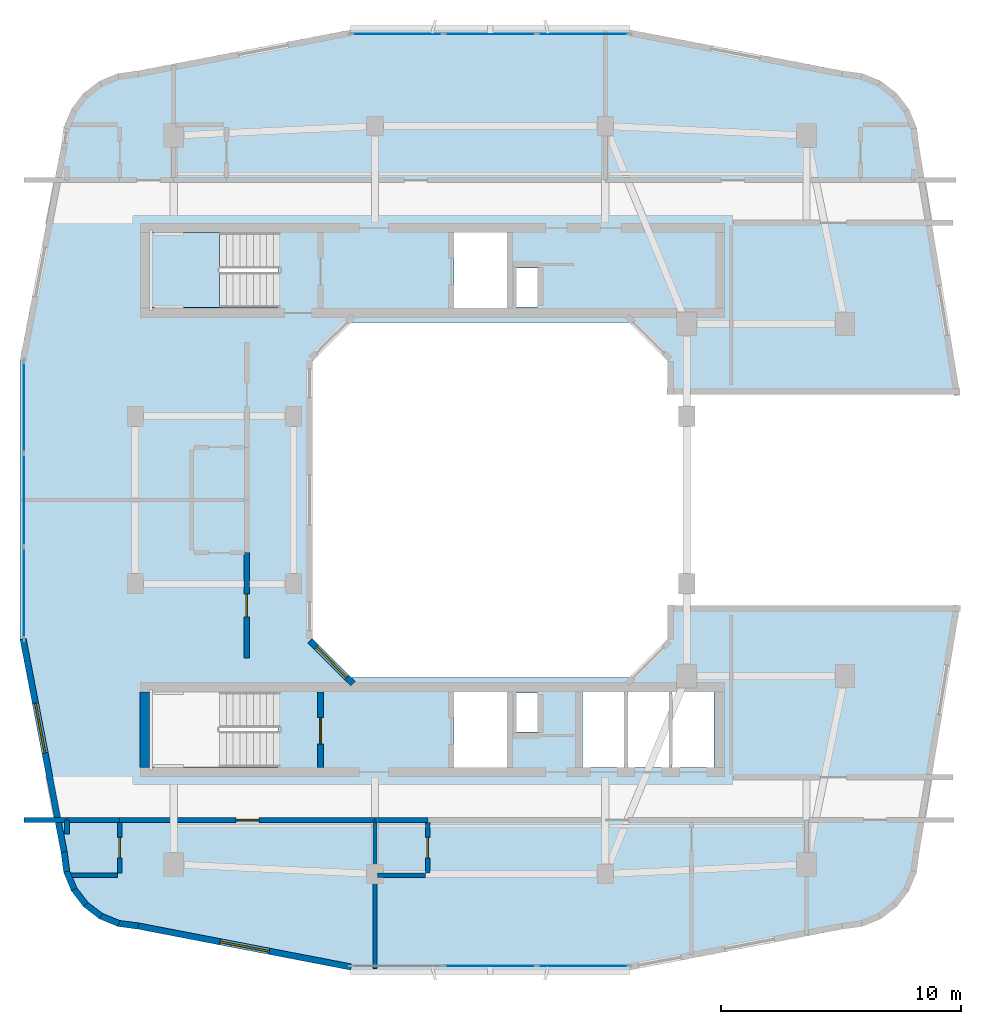
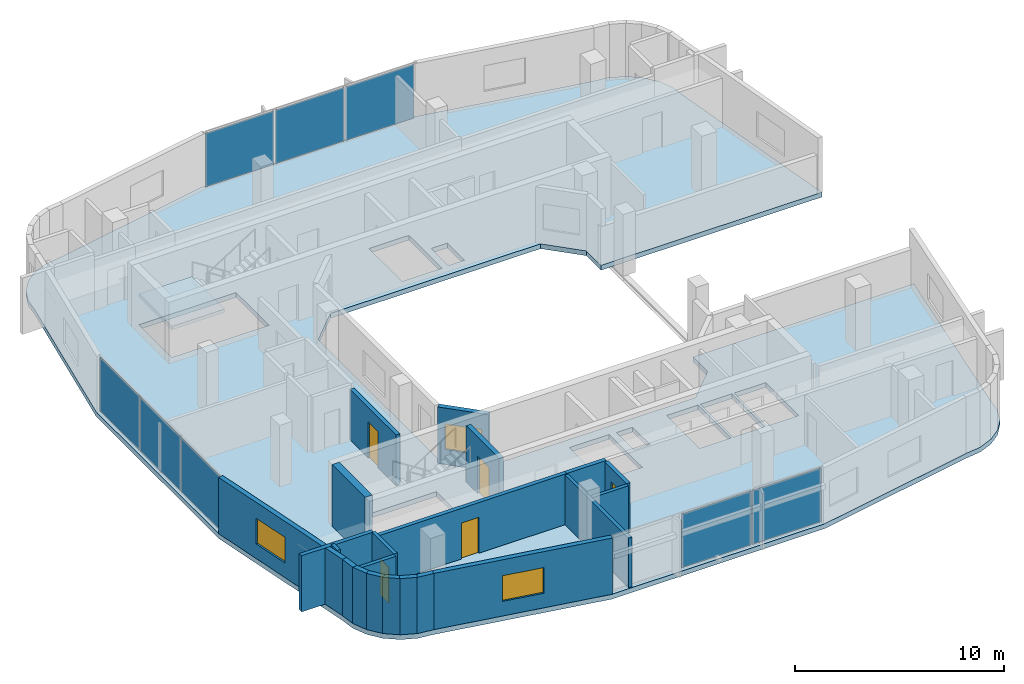
# One storey, part 4 of 12: 22 walls, 8 plates, 5 doors, 3 windows, 2 slabs, 8 openings, 4 elements without a shape of their own.
"""IFC4 building model written with IfcOpenShell, lengths in metres."""

from ifc_helpers import new_model, si_unit, derived_unit, direction, frame, frame_2d, origin, origin_2d, place, context, subcontext, project, spatial, polyline, rectangle, outline, extrude, material, layer, layer_set, type_object, element, fill, aggregate, save


model = new_model("IFC4")

# Units and contexts
model_context = context("Model", 3, precision=1e-05, world=origin(), true_north=direction((0.0, 1.0)))
body_context = subcontext(model_context, "Body", "Model", "MODEL_VIEW")
ifc_project = project(units=[si_unit("LENGTHUNIT", "METRE"), si_unit("AREAUNIT", "SQUARE_METRE"), si_unit("VOLUMEUNIT", "CUBIC_METRE"), si_unit("PLANEANGLEUNIT", "RADIAN"), si_unit("MASSUNIT", "GRAM", prefix="KILO"), derived_unit("THERMALTRANSMITTANCEUNIT", [(si_unit("POWERUNIT", "WATT"), 1), (si_unit("LENGTHUNIT", "METRE"), -2), (si_unit("THERMODYNAMICTEMPERATUREUNIT", "KELVIN"), -1)])], contexts=[model_context])

# Site, building, storey
site_placement = place(None, origin())
site = spatial("IfcSite", under=ifc_project, at=site_placement, CompositionType="ELEMENT")
building_placement = place(site_placement, origin())
building = spatial("IfcBuilding", under=site, at=building_placement, Name="Kivonza Crest Hotel", CompositionType="ELEMENT")
storey_placement = place(building_placement, frame((0.0, 0.0, 195.5)))
storey = spatial("IfcBuildingStorey", under=building, at=storey_placement, Name="L53", CompositionType="ELEMENT", Elevation=195.5)

# Curtain wall, plates
ifc_material_1 = material(Name="Anodised bronze aluminium and low-E double glazing", Category="aluminium")
ifc_layer_1 = layer(ifc_material_1, 0.179931640625)
ifc_layer_set_1 = layer_set([ifc_layer_1], Name="Anodised bronze aluminium and low-E double glazing")
curtain_wall_type = type_object("IfcCurtainWallType", Name="CW-SYS-3", PredefinedType="NOTDEFINED", material=ifc_layer_set_1)
curtain_wall_1_placement = place(storey_placement, origin())
curtain_wall_1 = element("IfcCurtainWall", 1, at=curtain_wall_1_placement, inside=storey, type_object=curtain_wall_type, Name="L53 unitised curtain wall CW-T1-L53-08", PredefinedType="NOTDEFINED")
ifc_material_2 = material(Name="Acoustic triple-laminated low-E glazing", Category="glass")
ifc_layer_2 = layer(ifc_material_2, 0.035888671875)
ifc_layer_set_2 = layer_set([ifc_layer_2], Name="Acoustic triple-laminated low-E glazing")
plate_type = type_object("IfcPlateType", Name="CW-PNL-36", PredefinedType="CURTAIN_PANEL", material=ifc_layer_set_2)
plate_1_placement = place(storey_placement, frame((21.0, 5.56005859375, 0.074951171875), z_axis=(0.0, 0.0, 1.0), x_axis=(1.0, 0.0, 0.0)))
plate_1 = element("IfcPlate", 2, at=plate_1_placement, type_object=plate_type, Name="CW-3 panel 2.1", PredefinedType="CURTAIN_PANEL", context=body_context, shape_type="SweptSolid", body=[
    extrude(rectangle(XDim=3.818359375, YDim=0.035888671875, at=origin_2d()), origin(), (0.0, 0.0, 1.0), 3.1298828125),
])
plate_2_placement = place(storey_placement, frame((24.87451171875, 5.56005859375, 0.074951171875), z_axis=(0.0, 0.0, 1.0), x_axis=(1.0, 0.0, 0.0)))
plate_2 = element("IfcPlate", 3, at=plate_2_placement, type_object=plate_type, Name="CW-3 panel 3.1", PredefinedType="CURTAIN_PANEL", context=body_context, shape_type="SweptSolid", body=[
    extrude(rectangle(XDim=3.78076171875, YDim=0.035888671875, at=origin_2d()), origin(), (0.0, 0.0, 1.0), 3.1298828125),
])
aggregate(curtain_wall_1, [plate_1, plate_2])

curtain_wall_2_placement = place(storey_placement, origin())
curtain_wall_2 = element("IfcCurtainWall", 4, at=curtain_wall_2_placement, inside=storey, type_object=curtain_wall_type, Name="L53 unitised curtain wall CW-T1-L53-36", PredefinedType="NOTDEFINED")
plate_3_placement = place(storey_placement, frame((24.87451171875, 44.43994140625, 0.074951171875), z_axis=(0.0, 0.0, 1.0), x_axis=(-1.0, 0.0, 0.0)))
plate_3 = element("IfcPlate", 5, at=plate_3_placement, type_object=plate_type, Name="CW-3 panel 1.1", PredefinedType="CURTAIN_PANEL", context=body_context, shape_type="SweptSolid", body=[
    extrude(rectangle(XDim=3.78076171875, YDim=0.035888671875, at=origin_2d()), origin(), (0.0, 0.0, 1.0), 3.1298828125),
])
plate_4_placement = place(storey_placement, frame((21.0, 44.43994140625, 0.074951171875), z_axis=(0.0, 0.0, 1.0), x_axis=(-1.0, 0.0, 0.0)))
plate_4 = element("IfcPlate", 6, at=plate_4_placement, type_object=plate_type, Name="CW-3 panel 2.1", PredefinedType="CURTAIN_PANEL", context=body_context, shape_type="SweptSolid", body=[
    extrude(rectangle(XDim=3.818359375, YDim=0.035888671875, at=origin_2d()), origin(), (0.0, 0.0, 1.0), 3.1298828125),
])
plate_5_placement = place(storey_placement, frame((17.12548828125, 44.43994140625, 0.074951171875), z_axis=(0.0, 0.0, 1.0), x_axis=(-1.0, 0.0, 0.0)))
plate_5 = element("IfcPlate", 7, at=plate_5_placement, type_object=plate_type, Name="CW-3 panel 3.1", PredefinedType="CURTAIN_PANEL", context=body_context, shape_type="SweptSolid", body=[
    extrude(rectangle(XDim=3.78076171875, YDim=0.035888671875, at=origin_2d()), origin(), (0.0, 0.0, 1.0), 3.1298828125),
])
aggregate(curtain_wall_2, [plate_3, plate_4, plate_5])

curtain_wall_3_placement = place(storey_placement, origin())
curtain_wall_3 = element("IfcCurtainWall", 8, at=curtain_wall_3_placement, inside=storey, type_object=curtain_wall_type, Name="L53 unitised curtain wall CW-T1-L53-45", PredefinedType="NOTDEFINED")
plate_6_placement = place(storey_placement, frame((1.56005859375, 28.87451171875, 0.074951171875), z_axis=(0.0, 0.0, 1.0), x_axis=(0.0, -1.0, 0.0)))
plate_6 = element("IfcPlate", 9, at=plate_6_placement, type_object=plate_type, Name="CW-3 panel 1.1", PredefinedType="CURTAIN_PANEL", context=body_context, shape_type="SweptSolid", body=[
    extrude(rectangle(XDim=3.78076171875, YDim=0.035888671875, at=origin_2d()), origin(), (0.0, 0.0, 1.0), 3.1298828125),
])
plate_7_placement = place(storey_placement, frame((1.56005859375, 25.0, 0.074951171875), z_axis=(0.0, 0.0, 1.0), x_axis=(0.0, -1.0, 0.0)))
plate_7 = element("IfcPlate", 10, at=plate_7_placement, type_object=plate_type, Name="CW-3 panel 2.1", PredefinedType="CURTAIN_PANEL", context=body_context, shape_type="SweptSolid", body=[
    extrude(rectangle(XDim=3.818359375, YDim=0.035888671875, at=origin_2d()), origin(), (0.0, 0.0, 1.0), 3.1298828125),
])
plate_8_placement = place(storey_placement, frame((1.56005859375, 21.12548828125, 0.074951171875), z_axis=(0.0, 0.0, 1.0), x_axis=(0.0, -1.0, 0.0)))
plate_8 = element("IfcPlate", 11, at=plate_8_placement, type_object=plate_type, Name="CW-3 panel 3.1", PredefinedType="CURTAIN_PANEL", context=body_context, shape_type="SweptSolid", body=[
    extrude(rectangle(XDim=3.78076171875, YDim=0.035888671875, at=origin_2d()), origin(), (0.0, 0.0, 1.0), 3.1298828125),
])
aggregate(curtain_wall_3, [plate_6, plate_7, plate_8])

# Slab
ifc_material_3 = material(Name="Concrete C40/50", Category="concrete")
ifc_layer_3 = layer(ifc_material_3, 0.280029296875)
ifc_layer_set_3 = layer_set([ifc_layer_3], Name="Concrete C40/50")
slab_type_1 = type_object("IfcSlabType", Name="SL-HTL-280", PredefinedType="FLOOR", material=ifc_layer_set_3)
slab_1_placement = place(storey_placement, frame((0.0, 0.0, -0.280029296875)))
element("IfcSlab", 12, at=slab_1_placement, inside=storey, type_object=slab_type_1, Name="Tower T1 L53 floor slab", PredefinedType="FLOOR", context=body_context, shape_type="SweptSolid", body=[
    extrude(outline(polyline([(3.10009765625, 10.300048828125), (3.208984375, 9.471923828125), (3.529052734375, 8.699951171875), (4.037109375, 8.037109375), (4.699951171875, 7.529052734375), (5.471923828125, 7.208984375), (6.300048828125, 7.10009765625), (15.1201171875, 5.39990234375), (26.8798828125, 5.39990234375), (35.699951171875, 7.10009765625), (36.528076171875, 7.208984375), (37.300048828125, 7.529052734375), (37.962890625, 8.037109375), (38.470947265625, 8.699951171875), (38.791015625, 9.471923828125), (38.89990234375, 10.300048828125), (40.60009765625, 20.60009765625), (28.39990234375, 20.60009765625), (28.39990234375, 19.199951171875), (26.800048828125, 17.60009765625), (15.199951171875, 17.60009765625), (13.60009765625, 19.199951171875), (13.60009765625, 30.800048828125), (15.199951171875, 32.39990234375), (26.800048828125, 32.39990234375), (28.39990234375, 30.800048828125), (28.39990234375, 29.39990234375), (40.60009765625, 29.39990234375), (38.89990234375, 39.699951171875), (38.791015625, 40.528076171875), (38.470947265625, 41.300048828125), (37.962890625, 41.962890625), (37.300048828125, 42.470947265625), (36.528076171875, 42.791015625), (35.699951171875, 42.89990234375), (26.8798828125, 44.60009765625), (15.1201171875, 44.60009765625), (6.300048828125, 42.89990234375), (5.471923828125, 42.791015625), (4.699951171875, 42.470947265625), (4.037109375, 41.962890625), (3.529052734375, 41.300048828125), (3.208984375, 40.528076171875), (3.10009765625, 39.699951171875), (1.39990234375, 30.8798828125), (1.39990234375, 19.1201171875), (3.10009765625, 10.300048828125)]), holes=[polyline([(6.800048828125, 33.02001953125), (12.159912109375, 33.02001953125), (12.159912109375, 36.159912109375), (6.800048828125, 36.159912109375), (6.800048828125, 33.02001953125)]), polyline([(6.800048828125, 13.860107421875), (12.159912109375, 13.860107421875), (12.159912109375, 17.0), (6.800048828125, 17.0), (6.800048828125, 13.860107421875)]), polyline([(22.080078125, 33.0400390625), (22.969970703125, 33.0400390625), (22.969970703125, 34.679931640625), (22.080078125, 34.679931640625), (22.080078125, 33.0400390625)]), polyline([(22.080078125, 15.320068359375), (22.969970703125, 15.320068359375), (22.969970703125, 16.9599609375), (22.080078125, 16.9599609375), (22.080078125, 15.320068359375)]), polyline([(19.5, 33.0), (21.699951171875, 33.0), (21.699951171875, 36.159912109375), (19.5, 36.159912109375), (19.5, 33.0)]), polyline([(19.5, 13.840087890625), (21.699951171875, 13.840087890625), (21.699951171875, 17.0), (19.5, 17.0), (19.5, 13.840087890625)]), polyline([(24.860107421875, 13.840087890625), (26.60693359375, 13.840087890625), (26.60693359375, 17.0), (24.860107421875, 17.0), (24.860107421875, 13.840087890625)]), polyline([(26.72705078125, 13.840087890625), (28.472900390625, 13.840087890625), (28.472900390625, 17.0), (26.72705078125, 17.0), (26.72705078125, 13.840087890625)]), polyline([(28.593017578125, 13.840087890625), (30.340087890625, 13.840087890625), (30.340087890625, 17.0), (28.593017578125, 17.0), (28.593017578125, 13.840087890625)])]), origin(), (0.0, 0.0, 1.0), 0.280029296875),
])

# Stair, slab
stair_type = type_object("IfcStairType", Name="ST-DL-20R", PredefinedType="HALF_TURN_STAIR", material=ifc_material_3)
stair_placement = place(storey_placement, origin())
stair = element("IfcStair", 13, at=stair_placement, inside=storey, type_object=stair_type, Name="L53 Protected Exit Stair ST-T1-N", PredefinedType="HALF_TURN_STAIR")
ifc_layer_4 = layer(ifc_material_3, 0.199951171875)
ifc_layer_set_4 = layer_set([ifc_layer_4], Name="Concrete C40/50")
slab_type_2 = type_object("IfcSlabType", Name="SL-LAND-200", PredefinedType="LANDING", material=ifc_layer_set_4)
slab_2_placement = place(storey_placement, frame((0.0, 0.0, 1.60009765625)))
slab_2 = element("IfcSlab", 14, at=slab_2_placement, type_object=slab_type_2, Name="ST-T1-N landing 1", PredefinedType="LANDING", context=body_context, shape_type="SweptSolid", body=[
    extrude(outline(polyline([(9.719970703125, 36.159912109375), (6.800048828125, 36.159912109375), (6.800048828125, 33.02001953125), (9.719970703125, 33.02001953125), (9.719970703125, 36.159912109375)])), origin(), (0.0, 0.0, 1.0), 0.199951171875),
])
aggregate(stair, [slab_2])

# Walls
ifc_material_4 = material(Name="High-density acoustic masonry inter-tenancy wall", Category="masonry")
ifc_layer_5 = layer(ifc_material_4, 0.179931640625)
ifc_layer_set_5 = layer_set([ifc_layer_5], Name="High-density acoustic masonry inter-tenancy wall")
wall_type_1 = type_object("IfcWallType", Name="WL-ACOU-180", PredefinedType="SOLIDWALL", material=ifc_layer_set_5)
wall_1_placement = place(storey_placement, frame((16.199951171875, 5.4599609375, 0.0), z_axis=(0.0, 0.0, 1.0), x_axis=(0.0, 1.0, 0.0)))
element("IfcWall", 15, at=wall_1_placement, inside=storey, type_object=wall_type_1, Name="L53 interior partition WA-L53-T1S-DIV1", PredefinedType="SOLIDWALL", context=body_context, shape_type="SweptSolid", body=[
    extrude(rectangle(XDim=6.18994140625, YDim=0.179931640625, at=frame_2d((3.094970703125, 0.0))), origin(), (0.0, 0.0, 1.0), 2.89501953125),
])
ifc_material_5 = material(Name="Autoclaved aerated concrete blockwork", Category="masonry")
ifc_layer_6 = layer(ifc_material_5, 0.219970703125)
ifc_layer_set_6 = layer_set([ifc_layer_6], Name="Autoclaved aerated concrete blockwork")
wall_type_2 = type_object("IfcWallType", Name="WL-ACOU-220", PredefinedType="SOLIDWALL", material=ifc_layer_set_6)
wall_2_placement = place(storey_placement, frame((1.56005859375, 11.64990234375, 0.0), z_axis=(0.0, 0.0, 1.0), x_axis=(1.0, 0.0, 0.0)))
element("IfcWall", 16, at=wall_2_placement, inside=storey, type_object=wall_type_2, Name="L53 interior partition WA-L53-S04-XCORR", PredefinedType="SOLIDWALL", context=body_context, shape_type="SweptSolid", body=[
    extrude(rectangle(XDim=1.7900390625, YDim=0.219970703125, at=frame_2d((0.89501953125, 0.0))), origin(), (0.0, 0.0, 1.0), 3.280029296875),
])
wall_3_placement = place(storey_placement, frame((3.35009765625, 11.64990234375, 0.0), z_axis=(0.0, 0.0, 1.0), x_axis=(1.0, 0.0, 0.0)))
element("IfcWall", 17, at=wall_3_placement, inside=storey, type_object=wall_type_2, Name="L53 interior partition WA-L53-S04-BCORR", PredefinedType="SOLIDWALL", context=body_context, shape_type="SweptSolid", body=[
    extrude(rectangle(XDim=2.199951171875, YDim=0.219970703125, at=frame_2d((1.10009765625, 0.0))), origin(), (0.0, 0.0, 1.0), 3.280029296875),
])

# Wall, opening, door
wall_4_placement = place(storey_placement, frame((5.550048828125, 11.64990234375, 0.0), z_axis=(0.0, 0.0, 1.0), x_axis=(1.0, 0.0, 0.0)))
wall_4 = element("IfcWall", 18, at=wall_4_placement, inside=storey, type_object=wall_type_2, Name="L53 interior partition WA-L53-S04-MCORR", PredefinedType="SOLIDWALL", context=body_context, shape_type="SweptSolid", body=[
    extrude(rectangle(XDim=10.64990234375, YDim=0.219970703125, at=frame_2d((5.324951171875, 0.0))), origin(), (0.0, 0.0, 1.0), 2.955078125),
])
opening_1_placement = place(wall_4_placement, frame((4.85009765625, 0.0, 0.0)))
opening_1 = element("IfcOpeningElement", 19, at=opening_1_placement, cuts=wall_4, Name="Opening DU-60", PredefinedType="OPENING", context=body_context, shape_type="SweptSolid", body=[
    extrude(rectangle(XDim=0.949951171875, YDim=2.10009765625, at=frame_2d((0.47509765625, 1.050048828125))), frame((0.0, 0.1201171875, 0.0), z_axis=(0.0, -1.0, 0.0), x_axis=(1.0, 0.0, 0.0)), (0.0, 0.0, 1.0), 0.239990234375),
])
ifc_material_6 = material(Name="Hardwood timber oak", Category="wood")
door_type_1 = type_object("IfcDoorType", Name="DR-UNIT-950", OperationType="NOTDEFINED", PredefinedType="DOOR", material=ifc_material_6)
door_1_placement = place(opening_1_placement, frame((0.949951171875, 0.0, 0.0), z_axis=(0.0, 0.0, 1.0), x_axis=(-1.0, 0.0, 0.0)))
door_1 = element("IfcDoor", 20, at=door_1_placement, inside=storey, type_object=door_type_1, Name="L53 S04 guest unit entrance fire door", OperationType="SINGLE_SWING_RIGHT", OverallHeight=2.10009765625, OverallWidth=0.949951171875, PredefinedType="DOOR", context=body_context, shape_type="SweptSolid", body=[
    extrude(rectangle(XDim=0.949951171875, YDim=2.10009765625, at=frame_2d((0.47509765625, 1.050048828125))), frame((0.0, 0.02490234375, 0.0), z_axis=(0.0, -1.0, 0.0), x_axis=(1.0, 0.0, 0.0)), (0.0, 0.0, 1.0), 0.050048828125),
])
fill(opening_1, door_1)

# Wall
wall_5_placement = place(storey_placement, frame((16.199951171875, 11.64990234375, 0.0), z_axis=(0.0, 0.0, 1.0), x_axis=(1.0, 0.0, 0.0)))
element("IfcWall", 21, at=wall_5_placement, inside=storey, type_object=wall_type_2, Name="L53 interior partition WA-L53-S05-BCORR", PredefinedType="SOLIDWALL", context=body_context, shape_type="SweptSolid", body=[
    extrude(rectangle(XDim=2.199951171875, YDim=0.219970703125, at=frame_2d((1.10009765625, 0.0))), origin(), (0.0, 0.0, 1.0), 2.955078125),
])

# Wall, opening, door
wall_6_placement = place(storey_placement, frame((10.85009765625, 18.39990234375, 0.0), z_axis=(0.0, 0.0, 1.0), x_axis=(0.0, 1.0, 0.0)))
wall_6 = element("IfcWall", 22, at=wall_6_placement, inside=storey, type_object=wall_type_2, Name="L53 interior partition WA-L53-W06-MCORR", PredefinedType="SOLIDWALL", context=body_context, shape_type="SweptSolid", body=[
    extrude(rectangle(XDim=4.400146484375, YDim=0.219970703125, at=frame_2d((2.2001953125, 0.0))), origin(), (0.0, 0.0, 1.0), 2.955078125),
])
opening_2_placement = place(wall_6_placement, frame((1.72509765625, 0.0, 0.0)))
opening_2 = element("IfcOpeningElement", 23, at=opening_2_placement, cuts=wall_6, Name="Opening DU-60", PredefinedType="OPENING", context=body_context, shape_type="SweptSolid", body=[
    extrude(rectangle(XDim=0.949951171875, YDim=2.10009765625, at=frame_2d((0.47509765625, 1.050048828125))), frame((0.0, 0.1201171875, 0.0), z_axis=(0.0, -1.0, 0.0), x_axis=(1.0, 0.0, 0.0)), (0.0, 0.0, 1.0), 0.239990234375),
])
door_2_placement = place(opening_2_placement, origin())
door_2 = element("IfcDoor", 24, at=door_2_placement, inside=storey, type_object=door_type_1, Name="L53 W06 guest unit entrance fire door", OperationType="SINGLE_SWING_RIGHT", OverallHeight=2.10009765625, OverallWidth=0.949951171875, PredefinedType="DOOR", context=body_context, shape_type="SweptSolid", body=[
    extrude(rectangle(XDim=0.949951171875, YDim=2.10009765625, at=frame_2d((0.47509765625, 1.050048828125))), frame((0.0, 0.02490234375, 0.0), z_axis=(0.0, -1.0, 0.0), x_axis=(1.0, 0.0, 0.0)), (0.0, 0.0, 1.0), 0.050048828125),
])
fill(opening_2, door_2)

# Walls
ifc_material_7 = material(Name="Concrete C50/60", Category="concrete")
ifc_layer_7 = layer(ifc_material_7, 0.39990234375)
ifc_layer_set_7 = layer_set([ifc_layer_7], Name="Concrete C50/60")
wall_type_3 = type_object("IfcWallType", Name="WL-CORE-400", PredefinedType="SHEAR", material=ifc_layer_set_7)
wall_7_placement = place(storey_placement, frame((6.60009765625, 13.840087890625, 0.0), z_axis=(0.0, 0.0, 1.0), x_axis=(0.0, 1.0, 0.0)))
element("IfcWall", 25, at=wall_7_placement, inside=storey, type_object=wall_type_3, Name="Core wall T1-S West L53", PredefinedType="SHEAR", context=body_context, shape_type="SweptSolid", body=[
    extrude(rectangle(XDim=3.159912109375, YDim=0.39990234375, at=frame_2d((1.580078125, 0.0))), origin(), (0.0, 0.0, 1.0), 3.60009765625),
])
ifc_material_8 = material(Name="Precast concrete C40/50", Category="concrete")
ifc_layer_8 = layer(ifc_material_8, 0.260009765625)
ifc_layer_set_8 = layer_set([ifc_layer_8], Name="Precast concrete C40/50")
wall_type_4 = type_object("IfcWallType", Name="WL-EXT-260", PredefinedType="STANDARD", material=ifc_layer_set_8)
wall_8_placement = place(storey_placement, frame((3.22802734375, 10.324951171875, 0.0), z_axis=(0.0, 0.0, 1.0), x_axis=(0.130704676564, -0.99142134712, 0.0)))
element("IfcWall", 26, at=wall_8_placement, inside=storey, type_object=wall_type_4, Name="L53 T1 exterior insulated wall 1", PredefinedType="STANDARD", context=body_context, shape_type="SweptSolid", body=[
    extrude(rectangle(XDim=0.8330078125, YDim=0.260009765625, at=frame_2d((0.41650390625, 0.0))), origin(), (0.0, 0.0, 1.0), 3.280029296875),
])
wall_9_placement = place(storey_placement, frame((3.319091796875, 9.544921875, 0.0), z_axis=(0.0, 0.0, 1.0), x_axis=(0.383086687796, -0.923712395518, 0.0)))
element("IfcWall", 27, at=wall_9_placement, inside=storey, type_object=wall_type_4, Name="L53 T1 exterior insulated wall 2", PredefinedType="STANDARD", context=body_context, shape_type="SweptSolid", body=[
    extrude(rectangle(XDim=0.850830078125, YDim=0.260009765625, at=frame_2d((0.42529296875, 0.0))), origin(), (0.0, 0.0, 1.0), 3.280029296875),
])
for number, where, z_axis, x_axis, name in (
    (28, (3.616943359375, 8.799072265625, 0.0), (0.0, 0.0, 1.0), (0.608099977432, -0.793860452124, 0.0), "L53 T1 exterior insulated wall 3"),
    (29, (4.095947265625, 8.155029296875, 0.0), (0.0, 0.0, 1.0), (0.793860452124, -0.608099977432, 0.0), "L53 T1 exterior insulated wall 4"),
):
    element("IfcWall", number, at=place(storey_placement, frame(where, z_axis=z_axis, x_axis=x_axis)), inside=storey, type_object=wall_type_4, Name=name, PredefinedType="STANDARD", context=body_context, shape_type="SweptSolid", body=[
        extrude(rectangle(XDim=0.850341796875, YDim=0.260009765625, at=frame_2d((0.42529296875, 0.0))), origin(), (0.0, 0.0, 1.0), 3.280029296875),
    ])
wall_10_placement = place(storey_placement, frame((4.72705078125, 7.658935546875, 0.0), z_axis=(0.0, 0.0, 1.0), x_axis=(0.923712395518, -0.383086687796, 0.0)))
element("IfcWall", 30, at=wall_10_placement, inside=storey, type_object=wall_type_4, Name="L53 T1 exterior insulated wall 5", PredefinedType="STANDARD", context=body_context, shape_type="SweptSolid", body=[
    extrude(rectangle(XDim=0.850830078125, YDim=0.260009765625, at=frame_2d((0.42529296875, 0.0))), origin(), (0.0, 0.0, 1.0), 3.280029296875),
])
wall_11_placement = place(storey_placement, frame((5.464111328125, 7.341064453125, 0.0), z_axis=(0.0, 0.0, 1.0), x_axis=(0.991488716273, -0.130192647656, 0.0)))
element("IfcWall", 31, at=wall_11_placement, inside=storey, type_object=wall_type_4, Name="L53 T1 exterior insulated wall 6", PredefinedType="STANDARD", context=body_context, shape_type="SweptSolid", body=[
    extrude(rectangle(XDim=0.8681640625, YDim=0.260009765625, at=frame_2d((0.43408203125, 0.0))), origin(), (0.0, 0.0, 1.0), 3.280029296875),
])

# Wall, opening, window
wall_12_placement = place(storey_placement, frame((6.31689453125, 7.22998046875, 0.0), z_axis=(0.0, 0.0, 1.0), x_axis=(0.98192801022, -0.189254809039, 0.0)))
wall_12 = element("IfcWall", 32, at=wall_12_placement, inside=storey, type_object=wall_type_4, Name="L53 T1 exterior insulated wall 7", PredefinedType="STANDARD", context=body_context, shape_type="SweptSolid", body=[
    extrude(rectangle(XDim=9.045654296875, YDim=0.260009765625, at=frame_2d((4.52294921875, 0.0))), origin(), (0.0, 0.0, 1.0), 3.280029296875),
])
opening_3_placement = place(wall_12_placement, frame((3.472900390625, 0.0, 0.85009765625)))
opening_3 = element("IfcOpeningElement", 33, at=opening_3_placement, cuts=wall_12, Name="Opening WN-04", PredefinedType="OPENING", context=body_context, shape_type="SweptSolid", body=[
    extrude(rectangle(XDim=2.10009765625, YDim=1.5, at=frame_2d((1.050048828125, 0.75))), frame((0.0, 0.14013671875, 0.0), z_axis=(0.0, -1.0, 0.0), x_axis=(1.0, 0.0, 0.0)), (0.0, 0.0, 1.0), 0.280029296875),
])
ifc_material_9 = material(Name="Thermally broken bronze aluminium and low-E double glazing", Category="aluminium")
window_type_1 = type_object("IfcWindowType", Name="WN-210x150", PartitioningType="DOUBLE_PANEL_VERTICAL", PredefinedType="WINDOW", material=ifc_material_9)
window_1_placement = place(opening_3_placement, origin())
window_1 = element("IfcWindow", 34, at=window_1_placement, inside=storey, type_object=window_type_1, Name="L53 T1 facade window 7", OverallHeight=1.5, OverallWidth=2.10009765625, PartitioningType="SINGLE_PANEL", PredefinedType="WINDOW", context=body_context, shape_type="SweptSolid", body=[
    extrude(rectangle(XDim=2.10009765625, YDim=1.5, at=frame_2d((1.050048828125, 0.75))), frame((0.0, 0.030029296875, 0.0), z_axis=(0.0, -1.0, 0.0), x_axis=(1.0, 0.0, 0.0)), (0.0, 0.0, 1.0), 0.06005859375),
])
fill(opening_3, window_1)

wall_13_placement = place(storey_placement, frame((15.278076171875, 17.337890625, 0.0), z_axis=(0.0, 0.0, 1.0), x_axis=(-0.707106781187, 0.707106781187, 0.0)))
wall_13 = element("IfcWall", 35, at=wall_13_placement, inside=storey, type_object=wall_type_4, Name="L53 T1 exterior insulated wall 21", PredefinedType="STANDARD", context=body_context, shape_type="SweptSolid", body=[
    extrude(rectangle(XDim=2.52880859375, YDim=0.260009765625, at=frame_2d((1.264404296875, 0.0))), origin(), (0.0, 0.0, 1.0), 3.280029296875),
])
opening_4_placement = place(wall_13_placement, frame((0.364013671875, 0.0, 0.85009765625)))
opening_4 = element("IfcOpeningElement", 36, at=opening_4_placement, cuts=wall_13, Name="Opening WN-03", PredefinedType="OPENING", context=body_context, shape_type="SweptSolid", body=[
    extrude(rectangle(XDim=1.800048828125, YDim=1.5, at=frame_2d((0.89990234375, 0.75))), frame((0.0, 0.14013671875, 0.0), z_axis=(0.0, -1.0, 0.0), x_axis=(1.0, 0.0, 0.0)), (0.0, 0.0, 1.0), 0.280029296875),
])
window_type_2 = type_object("IfcWindowType", Name="WN-180x150", PartitioningType="DOUBLE_PANEL_VERTICAL", PredefinedType="WINDOW", material=ifc_material_9)
window_2_placement = place(opening_4_placement, origin())
window_2 = element("IfcWindow", 37, at=window_2_placement, inside=storey, type_object=window_type_2, Name="L53 T1 facade window 21", OverallHeight=1.5, OverallWidth=1.800048828125, PartitioningType="SINGLE_PANEL", PredefinedType="WINDOW", context=body_context, shape_type="SweptSolid", body=[
    extrude(rectangle(XDim=1.800048828125, YDim=1.5, at=frame_2d((0.89990234375, 0.75))), frame((0.0, 0.030029296875, 0.0), z_axis=(0.0, -1.0, 0.0), x_axis=(1.0, 0.0, 0.0)), (0.0, 0.0, 1.0), 0.06005859375),
])
fill(opening_4, window_2)

wall_14_placement = place(storey_placement, frame((1.51806640625, 19.198974609375, 0.0), z_axis=(0.0, 0.0, 1.0), x_axis=(0.189254809039, -0.98192801022, 0.0)))
wall_14 = element("IfcWall", 38, at=wall_14_placement, inside=storey, type_object=wall_type_4, Name="L53 T1 exterior insulated wall 46", PredefinedType="STANDARD", context=body_context, shape_type="SweptSolid", body=[
    extrude(rectangle(XDim=9.045654296875, YDim=0.260009765625, at=frame_2d((4.52294921875, 0.0))), origin(), (0.0, 0.0, 1.0), 3.280029296875),
])
opening_5_placement = place(wall_14_placement, frame((2.73291015625, 0.0, 0.85009765625)))
opening_5 = element("IfcOpeningElement", 39, at=opening_5_placement, cuts=wall_14, Name="Opening WN-04", PredefinedType="OPENING", context=body_context, shape_type="SweptSolid", body=[
    extrude(rectangle(XDim=2.10009765625, YDim=1.5, at=frame_2d((1.050048828125, 0.75))), frame((0.0, 0.14013671875, 0.0), z_axis=(0.0, -1.0, 0.0), x_axis=(1.0, 0.0, 0.0)), (0.0, 0.0, 1.0), 0.280029296875),
])
window_3_placement = place(opening_5_placement, origin())
window_3 = element("IfcWindow", 40, at=window_3_placement, inside=storey, type_object=window_type_1, Name="L53 T1 facade window 46", OverallHeight=1.5, OverallWidth=2.10009765625, PartitioningType="SINGLE_PANEL", PredefinedType="WINDOW", context=body_context, shape_type="SweptSolid", body=[
    extrude(rectangle(XDim=2.10009765625, YDim=1.5, at=frame_2d((1.050048828125, 0.75))), frame((0.0, 0.030029296875, 0.0), z_axis=(0.0, -1.0, 0.0), x_axis=(1.0, 0.0, 0.0)), (0.0, 0.0, 1.0), 0.06005859375),
])
fill(opening_5, window_3)

# Wall, opening, door
ifc_material_10 = material(Name="Moisture-resistant plumbing chase partition wall", Category="gypsum")
ifc_layer_9 = layer(ifc_material_10, 0.199951171875)
ifc_layer_set_9 = layer_set([ifc_layer_9], Name="Moisture-resistant plumbing chase partition wall")
wall_type_5 = type_object("IfcWallType", Name="WL-PLUMB-200", PredefinedType="PLUMBINGWALL", material=ifc_layer_set_9)
wall_15_placement = place(storey_placement, frame((5.550048828125, 9.449951171875, 0.0), z_axis=(0.0, 0.0, 1.0), x_axis=(0.0, 1.0, 0.0)))
wall_15 = element("IfcWall", 41, at=wall_15_placement, inside=storey, type_object=wall_type_5, Name="L53 interior partition WW-L53-S04-BV", PredefinedType="PLUMBINGWALL", context=body_context, shape_type="SweptSolid", body=[
    extrude(rectangle(XDim=2.10009765625, YDim=0.199951171875, at=frame_2d((1.050048828125, 0.0))), origin(), (0.0, 0.0, 1.0), 3.280029296875),
])
opening_6_placement = place(wall_15_placement, frame((0.625, 0.0, 0.0)))
opening_6 = element("IfcOpeningElement", 42, at=opening_6_placement, cuts=wall_15, Name="Opening DI-85", PredefinedType="OPENING", context=body_context, shape_type="SweptSolid", body=[
    extrude(rectangle(XDim=0.85009765625, YDim=2.10009765625, at=frame_2d((0.425048828125, 1.050048828125))), frame((0.0, 0.10986328125, 0.0), z_axis=(0.0, -1.0, 0.0), x_axis=(1.0, 0.0, 0.0)), (0.0, 0.0, 1.0), 0.219970703125),
])
door_type_2 = type_object("IfcDoorType", Name="DR-INT-850", OperationType="NOTDEFINED", PredefinedType="DOOR", material=ifc_material_6)
door_3_placement = place(opening_6_placement, frame((0.85009765625, 0.0, 0.0), z_axis=(0.0, 0.0, 1.0), x_axis=(-1.0, 0.0, 0.0)))
door_3 = element("IfcDoor", 43, at=door_3_placement, inside=storey, type_object=door_type_2, Name="L53 S04 en-suite bathroom door", OperationType="SINGLE_SWING_LEFT", OverallHeight=2.10009765625, OverallWidth=0.85009765625, PredefinedType="DOOR", context=body_context, shape_type="SweptSolid", body=[
    extrude(rectangle(XDim=0.85009765625, YDim=2.10009765625, at=frame_2d((0.425048828125, 1.050048828125))), frame((0.0, 0.02490234375, 0.0), z_axis=(0.0, -1.0, 0.0), x_axis=(1.0, 0.0, 0.0)), (0.0, 0.0, 1.0), 0.050048828125),
])
fill(opening_6, door_3)

# Walls
wall_16_placement = place(storey_placement, frame((3.449951171875, 9.35009765625, 0.0), z_axis=(0.0, 0.0, 1.0), x_axis=(1.0, 0.0, 0.0)))
element("IfcWall", 44, at=wall_16_placement, inside=storey, type_object=wall_type_5, Name="L53 interior partition WW-L53-S04-BH", PredefinedType="PLUMBINGWALL", context=body_context, shape_type="SweptSolid", body=[
    extrude(rectangle(XDim=2.0, YDim=0.199951171875, at=frame_2d((1.0, 0.0))), origin(), (0.0, 0.0, 1.0), 3.280029296875),
])
wall_17_placement = place(storey_placement, frame((3.35009765625, 11.072998046875, 0.0), z_axis=(0.0, 0.0, 1.0), x_axis=(0.0, 1.0, 0.0)))
element("IfcWall", 45, at=wall_17_placement, inside=storey, type_object=wall_type_5, Name="L53 interior partition WW-L53-S04-BVW", PredefinedType="PLUMBINGWALL", context=body_context, shape_type="SweptSolid", body=[
    extrude(rectangle(XDim=0.576904296875, YDim=0.199951171875, at=frame_2d((0.28857421875, 0.0))), origin(), (0.0, 0.0, 1.0), 3.280029296875),
])

# Wall, opening, door
wall_18_placement = place(storey_placement, frame((18.39990234375, 9.449951171875, 0.0), z_axis=(0.0, 0.0, 1.0), x_axis=(0.0, 1.0, 0.0)))
wall_18 = element("IfcWall", 46, at=wall_18_placement, inside=storey, type_object=wall_type_5, Name="L53 interior partition WW-L53-S05-BV", PredefinedType="PLUMBINGWALL", context=body_context, shape_type="SweptSolid", body=[
    extrude(rectangle(XDim=2.10009765625, YDim=0.199951171875, at=frame_2d((1.050048828125, 0.0))), origin(), (0.0, 0.0, 1.0), 2.89501953125),
])
opening_7_placement = place(wall_18_placement, frame((0.625, 0.0, 0.0)))
opening_7 = element("IfcOpeningElement", 47, at=opening_7_placement, cuts=wall_18, Name="Opening DI-85", PredefinedType="OPENING", context=body_context, shape_type="SweptSolid", body=[
    extrude(rectangle(XDim=0.85009765625, YDim=2.10009765625, at=frame_2d((0.425048828125, 1.050048828125))), frame((0.0, 0.10986328125, 0.0), z_axis=(0.0, -1.0, 0.0), x_axis=(1.0, 0.0, 0.0)), (0.0, 0.0, 1.0), 0.219970703125),
])
door_4_placement = place(opening_7_placement, frame((0.85009765625, 0.0, 0.0), z_axis=(0.0, 0.0, 1.0), x_axis=(-1.0, 0.0, 0.0)))
door_4 = element("IfcDoor", 48, at=door_4_placement, inside=storey, type_object=door_type_2, Name="L53 S05 en-suite bathroom door", OperationType="SINGLE_SWING_RIGHT", OverallHeight=2.10009765625, OverallWidth=0.85009765625, PredefinedType="DOOR", context=body_context, shape_type="SweptSolid", body=[
    extrude(rectangle(XDim=0.85009765625, YDim=2.10009765625, at=frame_2d((0.425048828125, 1.050048828125))), frame((0.0, 0.02490234375, 0.0), z_axis=(0.0, -1.0, 0.0), x_axis=(1.0, 0.0, 0.0)), (0.0, 0.0, 1.0), 0.050048828125),
])
fill(opening_7, door_4)

# Wall
wall_19_placement = place(storey_placement, frame((16.300048828125, 9.35009765625, 0.0), z_axis=(0.0, 0.0, 1.0), x_axis=(1.0, 0.0, 0.0)))
element("IfcWall", 49, at=wall_19_placement, inside=storey, type_object=wall_type_5, Name="L53 interior partition WW-L53-S05-BH", PredefinedType="PLUMBINGWALL", context=body_context, shape_type="SweptSolid", body=[
    extrude(rectangle(XDim=2.0, YDim=0.199951171875, at=frame_2d((1.0, 0.0))), origin(), (0.0, 0.0, 1.0), 2.89501953125),
])

# Wall, opening, door
ifc_layer_10 = layer(ifc_material_7, 0.25)
ifc_layer_set_10 = layer_set([ifc_layer_10], Name="Concrete C50/60")
wall_type_6 = type_object("IfcWallType", Name="WL-SHAFT-250", PredefinedType="STANDARD", material=ifc_layer_set_10)
wall_20_placement = place(storey_placement, frame((13.925048828125, 13.840087890625, 0.0), z_axis=(0.0, 0.0, 1.0), x_axis=(0.0, 1.0, 0.0)))
wall_20 = element("IfcWall", 50, at=wall_20_placement, inside=storey, type_object=wall_type_6, Name="Core shaft wall T1-S STAIR L53", PredefinedType="STANDARD", context=body_context, shape_type="SweptSolid", body=[
    extrude(rectangle(XDim=3.159912109375, YDim=0.25, at=frame_2d((1.580078125, 0.0))), origin(), (0.0, 0.0, 1.0), 3.280029296875),
])
opening_8_placement = place(wall_20_placement, frame((0.97998046875, 0.0, 0.0)))
opening_8 = element("IfcOpeningElement", 51, at=opening_8_placement, cuts=wall_20, Name="Opening DF-120", PredefinedType="OPENING", context=body_context, shape_type="SweptSolid", body=[
    extrude(rectangle(XDim=1.10009765625, YDim=2.14990234375, at=frame_2d((0.550048828125, 1.074951171875))), frame((0.0, 0.135009765625, 0.0), z_axis=(0.0, -1.0, 0.0), x_axis=(1.0, 0.0, 0.0)), (0.0, 0.0, 1.0), 0.27001953125),
])
ifc_material_11 = material(Name="Galvanised steel", Category="steel")
door_type_3 = type_object("IfcDoorType", Name="DR-FD120-1100", OperationType="NOTDEFINED", PredefinedType="DOOR", material=ifc_material_11)
door_5_placement = place(opening_8_placement, frame((1.10009765625, 0.0, 0.0), z_axis=(0.0, 0.0, 1.0), x_axis=(-1.0, 0.0, 0.0)))
door_5 = element("IfcDoor", 52, at=door_5_placement, inside=storey, type_object=door_type_3, Name="L53 T1-S stair fire door", OperationType="SINGLE_SWING_RIGHT", OverallHeight=2.14990234375, OverallWidth=1.10009765625, PredefinedType="DOOR", context=body_context, shape_type="SweptSolid", body=[
    extrude(rectangle(XDim=1.10009765625, YDim=2.14990234375, at=frame_2d((0.550048828125, 1.074951171875))), frame((0.0, 0.02490234375, 0.0), z_axis=(0.0, -1.0, 0.0), x_axis=(1.0, 0.0, 0.0)), (0.0, 0.0, 1.0), 0.050048828125),
])
fill(opening_8, door_5)

save(model, "model.ifc")
